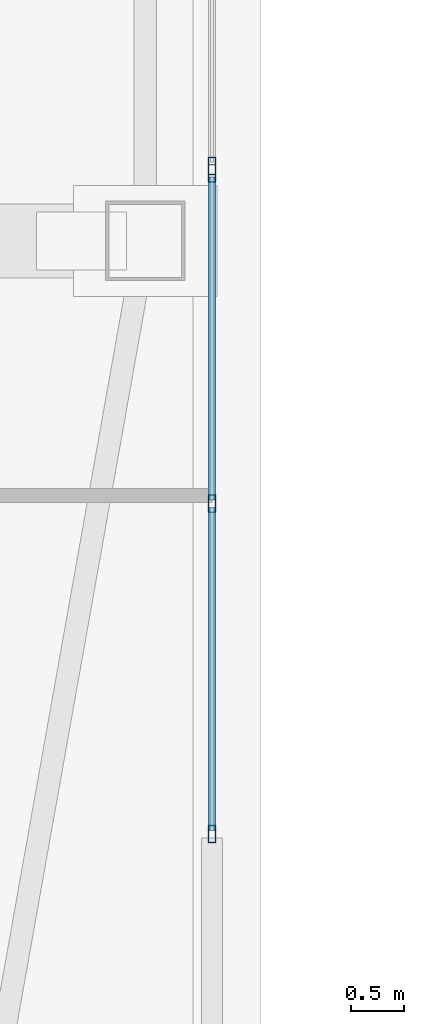
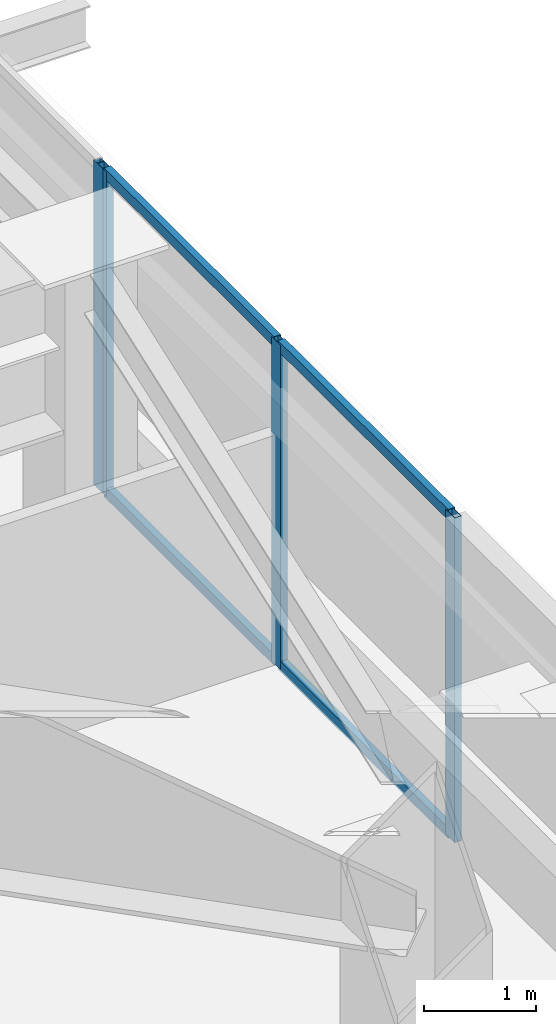
# One storey, part 10 of 40: 8 members, 2 elements without a shape of their own.
"""IFC4 building model written with IfcOpenShell, lengths in metres."""

from ifc_helpers import new_model, si_unit, direction, frame, origin, origin_2d, place, context, subcontext, project, spatial, hollow_rectangle, extrude, material, material_profile, profile_set, type_object, element, aggregate, save


model = new_model("IFC4")

# Units and contexts
model_context = context("Model", 3, precision=1e-05, world=origin(), true_north=direction((0.0, 1.0)))
body_context = subcontext(model_context, "Body", "Model", "MODEL_VIEW")
ifc_project = project(units=[si_unit("LENGTHUNIT", "METRE"), si_unit("AREAUNIT", "SQUARE_METRE"), si_unit("VOLUMEUNIT", "CUBIC_METRE"), si_unit("PLANEANGLEUNIT", "RADIAN"), si_unit("MASSUNIT", "GRAM", prefix="KILO")], contexts=[model_context])

# Site, building, storey
site_placement = place(None, origin())
site = spatial("IfcSite", under=ifc_project, at=site_placement, CompositionType="ELEMENT")
building_placement = place(site_placement, origin())
building = spatial("IfcBuilding", under=site, at=building_placement, Name="Tashvorn Skyway Center", CompositionType="ELEMENT")
storey_placement = place(building_placement, frame((0.0, 0.0, 229.050048828125)))
storey = spatial("IfcBuildingStorey", under=building, at=storey_placement, Name="L62", CompositionType="ELEMENT", Elevation=229.050048828125)

# Curtain wall, member
ifc_material = material(Name="Thermally broken bronze-anodized aluminium 6063-T6", Category="aluminium")
curtain_wall_type = type_object("IfcCurtainWallType", Name="CW-CW-Z5", PredefinedType="NOTDEFINED", material=ifc_material)
curtain_wall_1_placement = place(storey_placement, origin())
curtain_wall_1 = element("IfcCurtainWall", 1, at=curtain_wall_1_placement, inside=storey, type_object=curtain_wall_type, Name="Tower 1 L62 East Unitised Curtain Wall Glazing Group 2", PredefinedType="NOTDEFINED")
ifc_material_profile_1 = material_profile(ifc_material, hollow_rectangle(XDim=0.070068359375, YDim=0.1650390625, WallThickness=0.00390625, at=origin_2d()), Name="ALU-MULL-70x165")
ifc_profile_set_1 = profile_set([ifc_material_profile_1], Name="Thermally broken bronze-anodized aluminium 6063-T6")
member_type_1 = type_object("IfcMemberType", Name="CWM-CW-Z5", PredefinedType="MULLION", material=ifc_profile_set_1)
member_1_placement = place(storey_placement, frame((58.280029296875, 27.308349609375, 0.0), z_axis=(0.0, 0.0, 1.0), x_axis=(1.0, 0.0, 0.0)))
member_1 = element("IfcMember", 2, at=member_1_placement, type_object=member_type_1, Name="CW-Z5 mullion 2", PredefinedType="MULLION", context=body_context, shape_type="SweptSolid", body=[
    extrude(hollow_rectangle(XDim=0.070068359375, YDim=0.1650390625, WallThickness=0.00390625, at=origin_2d()), origin(), (0.0, 0.0, 1.0), 3.550048828125),
])
aggregate(curtain_wall_1, [member_1])

# Curtain wall, members
curtain_wall_2_placement = place(storey_placement, origin())
curtain_wall_2 = element("IfcCurtainWall", 3, at=curtain_wall_2_placement, inside=storey, type_object=curtain_wall_type, Name="Tower 1 L62 East Unitised Curtain Wall Glazing Group 3", PredefinedType="NOTDEFINED")
member_2_placement = place(storey_placement, frame((58.280029296875, 27.23828125, 0.0), z_axis=(0.0, 0.0, 1.0), x_axis=(1.0, 0.0, 0.0)))
member_2 = element("IfcMember", 4, at=member_2_placement, type_object=member_type_1, Name="CW-Z5 mullion 1", PredefinedType="MULLION", context=body_context, shape_type="SweptSolid", body=[
    extrude(hollow_rectangle(XDim=0.070068359375, YDim=0.1650390625, WallThickness=0.00390625, at=origin_2d()), origin(), (0.0, 0.0, 1.0), 3.550048828125),
])
member_3_placement = place(storey_placement, frame((58.280029296875, 24.122314453125, 0.0), z_axis=(0.0, 0.0, 1.0), x_axis=(1.0, 0.0, 0.0)))
member_3 = element("IfcMember", 5, at=member_3_placement, type_object=member_type_1, Name="CW-Z5 mullion 2", PredefinedType="MULLION", context=body_context, shape_type="SweptSolid", body=[
    extrude(hollow_rectangle(XDim=0.070068359375, YDim=0.1650390625, WallThickness=0.00390625, at=origin_2d()), origin(), (0.0, 0.0, 1.0), 3.550048828125),
])
member_4_placement = place(storey_placement, frame((58.280029296875, 21.006103515625, 0.0), z_axis=(0.0, 0.0, 1.0), x_axis=(1.0, 0.0, 0.0)))
member_4 = element("IfcMember", 6, at=member_4_placement, type_object=member_type_1, Name="CW-Z5 mullion 3", PredefinedType="MULLION", context=body_context, shape_type="SweptSolid", body=[
    extrude(hollow_rectangle(XDim=0.070068359375, YDim=0.1650390625, WallThickness=0.00390625, at=origin_2d()), origin(), (0.0, 0.0, 1.0), 3.550048828125),
])
ifc_material_profile_2 = material_profile(ifc_material, hollow_rectangle(XDim=0.070068359375, YDim=0.114990234375, WallThickness=0.00390625, at=origin_2d()), Name="ALU-TRAN-70x115")
ifc_profile_set_2 = profile_set([ifc_material_profile_2], Name="Thermally broken bronze-anodized aluminium 6063-T6")
member_type_2 = type_object("IfcMemberType", Name="CWT-CW-Z5", PredefinedType="USERDEFINED", material=ifc_profile_set_2)
member_5_placement = place(storey_placement, frame((58.280029296875, 27.203369140625, 0.034912109375), z_axis=(0.0, -1.0, 0.0), x_axis=(1.0, 0.0, 0.0)))
member_5 = element("IfcMember", 7, at=member_5_placement, type_object=member_type_2, Name="CW-Z5 transom 1.1", ObjectType="TRANSOM", PredefinedType="USERDEFINED", context=body_context, shape_type="SweptSolid", body=[
    extrude(hollow_rectangle(XDim=0.070068359375, YDim=0.114990234375, WallThickness=0.00390625, at=origin_2d()), origin(), (0.0, 0.0, 1.0), 3.046142578125),
])
member_6_placement = place(storey_placement, frame((58.280029296875, 27.203369140625, 3.514892578125), z_axis=(0.0, -1.0, 0.0), x_axis=(1.0, 0.0, 0.0)))
member_6 = element("IfcMember", 8, at=member_6_placement, type_object=member_type_2, Name="CW-Z5 transom 1.2", ObjectType="TRANSOM", PredefinedType="USERDEFINED", context=body_context, shape_type="SweptSolid", body=[
    extrude(hollow_rectangle(XDim=0.070068359375, YDim=0.114990234375, WallThickness=0.00390625, at=origin_2d()), origin(), (0.0, 0.0, 1.0), 3.046142578125),
])
member_7_placement = place(storey_placement, frame((58.280029296875, 24.087158203125, 0.034912109375), z_axis=(0.0, -1.0, 0.0), x_axis=(1.0, 0.0, 0.0)))
member_7 = element("IfcMember", 9, at=member_7_placement, type_object=member_type_2, Name="CW-Z5 transom 2.1", ObjectType="TRANSOM", PredefinedType="USERDEFINED", context=body_context, shape_type="SweptSolid", body=[
    extrude(hollow_rectangle(XDim=0.070068359375, YDim=0.114990234375, WallThickness=0.00390625, at=origin_2d()), origin(), (0.0, 0.0, 1.0), 3.046142578125),
])
member_8_placement = place(storey_placement, frame((58.280029296875, 24.087158203125, 3.514892578125), z_axis=(0.0, -1.0, 0.0), x_axis=(1.0, 0.0, 0.0)))
member_8 = element("IfcMember", 10, at=member_8_placement, type_object=member_type_2, Name="CW-Z5 transom 2.2", ObjectType="TRANSOM", PredefinedType="USERDEFINED", context=body_context, shape_type="SweptSolid", body=[
    extrude(hollow_rectangle(XDim=0.070068359375, YDim=0.114990234375, WallThickness=0.00390625, at=origin_2d()), origin(), (0.0, 0.0, 1.0), 3.046142578125),
])
aggregate(curtain_wall_2, [member_2, member_3, member_4, member_5, member_6, member_7, member_8])

save(model, "model.ifc")
